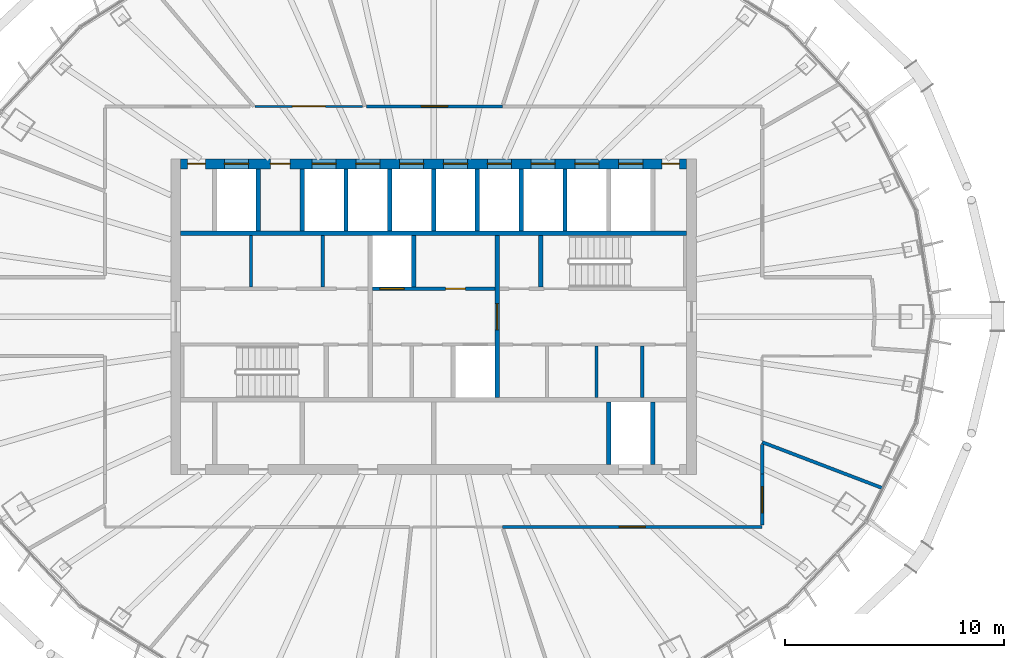
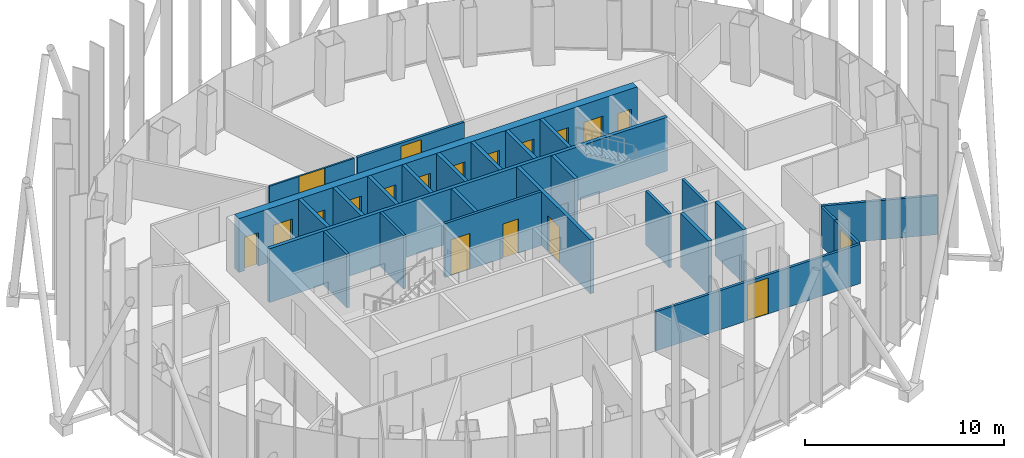
# One storey, part 9 of 17: 26 walls, 19 doors, 19 openings.
"""IFC4 building model written with IfcOpenShell, lengths in metres."""

from ifc_helpers import new_model, si_unit, direction, frame, frame_2d, origin, place, context, subcontext, project, spatial, rectangle, extrude, material, layer, layer_set, type_object, element, fill, save


model = new_model("IFC4")

# Units and contexts
model_context = context("Model", 3, precision=1e-05, world=origin(), true_north=direction((0.0, 1.0)))
body_context = subcontext(model_context, "Body", "Model", "MODEL_VIEW")
ifc_project = project(units=[si_unit("LENGTHUNIT", "METRE"), si_unit("AREAUNIT", "SQUARE_METRE"), si_unit("VOLUMEUNIT", "CUBIC_METRE"), si_unit("PLANEANGLEUNIT", "RADIAN"), si_unit("MASSUNIT", "GRAM", prefix="KILO")], contexts=[model_context])

# Site, building, storey
site_placement = place(None, origin())
site = spatial("IfcSite", under=ifc_project, at=site_placement, CompositionType="ELEMENT")
building_placement = place(site_placement, origin())
building = spatial("IfcBuilding", under=site, at=building_placement, Name="Siaravel Broadcast Tower", CompositionType="ELEMENT")
storey_placement = place(building_placement, frame((0.0, 0.0, 190.39990234375)))
storey = spatial("IfcBuildingStorey", under=building, at=storey_placement, Name="L46", CompositionType="ELEMENT", Elevation=190.39990234375)

# Walls
ifc_material_1 = material(Name="Concrete blockwork", Category="masonry")
ifc_layer_1 = layer(ifc_material_1, 0.14990234375)
ifc_layer_set_1 = layer_set([ifc_layer_1], Name="Concrete blockwork")
wall_type_1 = type_object("IfcWallType", Name="Core partition 150", PredefinedType="PARTITIONING", material=ifc_layer_set_1)
for number, where, z_axis, x_axis, name in (
    (1, (-8.340087890625, 1.35009765625, 0.0), (0.0, 0.0, 1.0), (0.0, 1.0, 0.0), "L46 core partition PNW0"),
    (2, (-5.054931640625, 1.35009765625, 0.0), (0.0, 0.0, 1.0), (0.0, 1.0, 0.0), "L46 core partition PNW1"),
    (3, (7.43701171875, -3.699951171875, 0.0), (0.0, 0.0, 1.0), (0.0, 1.0, 0.0), "L46 core partition PSE1"),
    (4, (9.531005859375, -3.699951171875, 0.0), (0.0, 0.0, 1.0), (0.0, 1.0, 0.0), "L46 core partition PSE2"),
):
    element("IfcWall", number, at=place(storey_placement, frame(where, z_axis=z_axis, x_axis=x_axis)), inside=storey, type_object=wall_type_1, Name=name, PredefinedType="PARTITIONING", context=body_context, shape_type="SweptSolid", body=[
        extrude(rectangle(XDim=2.349853515625, YDim=0.14990234375, at=frame_2d((1.1748046875, 0.0))), origin(), (0.0, 0.0, 1.0), 3.300048828125),
    ])

# Wall, openings, doors
ifc_material_2 = material(Name="Concrete C60/75", Category="concrete")
ifc_layer_2 = layer(ifc_material_2, 0.449951171875)
ifc_layer_set_2 = layer_set([ifc_layer_2], Name="Concrete C60/75")
wall_type_2 = type_object("IfcWallType", Name="Core wall 450", PredefinedType="SHEAR", material=ifc_layer_set_2)
wall_1_placement = place(storey_placement, frame((-11.550048828125, 6.97509765625, 0.0), z_axis=(0.0, 0.0, 1.0), x_axis=(1.0, 0.0, 0.0)))
wall_1 = element("IfcWall", 5, at=wall_1_placement, inside=storey, type_object=wall_type_2, Name="L46 core wall ON", PredefinedType="SHEAR", context=body_context, shape_type="SweptSolid", body=[
    extrude(rectangle(XDim=23.10009765625, YDim=0.449951171875, at=frame_2d((11.550048828125, 0.0))), origin(), (0.0, 0.0, 1.0), 3.300048828125),
])
opening_1_placement = place(wall_1_placement, frame((2.0, 0.0, 0.0)))
opening_1 = element("IfcOpeningElement", 6, at=opening_1_placement, cuts=wall_1, Name="Opening LD-SV2-L46", PredefinedType="OPENING", context=body_context, shape_type="SweptSolid", body=[
    extrude(rectangle(XDim=1.10009765625, YDim=2.199951171875, at=frame_2d((0.550048828125, 1.10009765625))), frame((0.0, 0.23486328125, 0.0), z_axis=(0.0, -1.0, 0.0), x_axis=(1.0, 0.0, 0.0)), (0.0, 0.0, 1.0), 0.469970703125),
])
opening_2_placement = place(wall_1_placement, frame((6.0, 0.0, 0.0)))
opening_2 = element("IfcOpeningElement", 7, at=opening_2_placement, cuts=wall_1, Name="Opening LD-HP1-L46", PredefinedType="OPENING", context=body_context, shape_type="SweptSolid", body=[
    extrude(rectangle(XDim=1.10009765625, YDim=2.199951171875, at=frame_2d((0.550048828125, 1.10009765625))), frame((0.0, 0.23486328125, 0.0), z_axis=(0.0, -1.0, 0.0), x_axis=(1.0, 0.0, 0.0)), (0.0, 0.0, 1.0), 0.469970703125),
])
opening_3_placement = place(wall_1_placement, frame((8.0, 0.0, 0.0)))
opening_3 = element("IfcOpeningElement", 8, at=opening_3_placement, cuts=wall_1, Name="Opening LD-HP2-L46", PredefinedType="OPENING", context=body_context, shape_type="SweptSolid", body=[
    extrude(rectangle(XDim=1.10009765625, YDim=2.199951171875, at=frame_2d((0.550048828125, 1.10009765625))), frame((0.0, 0.23486328125, 0.0), z_axis=(0.0, -1.0, 0.0), x_axis=(1.0, 0.0, 0.0)), (0.0, 0.0, 1.0), 0.469970703125),
])
opening_4_placement = place(wall_1_placement, frame((10.0, 0.0, 0.0)))
opening_4 = element("IfcOpeningElement", 9, at=opening_4_placement, cuts=wall_1, Name="Opening LD-HP3-L46", PredefinedType="OPENING", context=body_context, shape_type="SweptSolid", body=[
    extrude(rectangle(XDim=1.10009765625, YDim=2.199951171875, at=frame_2d((0.550048828125, 1.10009765625))), frame((0.0, 0.23486328125, 0.0), z_axis=(0.0, -1.0, 0.0), x_axis=(1.0, 0.0, 0.0)), (0.0, 0.0, 1.0), 0.469970703125),
])
opening_5_placement = place(wall_1_placement, frame((12.0, 0.0, 0.0)))
opening_5 = element("IfcOpeningElement", 10, at=opening_5_placement, cuts=wall_1, Name="Opening LD-HP4-L46", PredefinedType="OPENING", context=body_context, shape_type="SweptSolid", body=[
    extrude(rectangle(XDim=1.10009765625, YDim=2.199951171875, at=frame_2d((0.550048828125, 1.10009765625))), frame((0.0, 0.23486328125, 0.0), z_axis=(0.0, -1.0, 0.0), x_axis=(1.0, 0.0, 0.0)), (0.0, 0.0, 1.0), 0.469970703125),
])
opening_6_placement = place(wall_1_placement, frame((14.0, 0.0, 0.0)))
opening_6 = element("IfcOpeningElement", 11, at=opening_6_placement, cuts=wall_1, Name="Opening LD-HP5-L46", PredefinedType="OPENING", context=body_context, shape_type="SweptSolid", body=[
    extrude(rectangle(XDim=1.10009765625, YDim=2.199951171875, at=frame_2d((0.550048828125, 1.10009765625))), frame((0.0, 0.23486328125, 0.0), z_axis=(0.0, -1.0, 0.0), x_axis=(1.0, 0.0, 0.0)), (0.0, 0.0, 1.0), 0.469970703125),
])
opening_7_placement = place(wall_1_placement, frame((16.0, 0.0, 0.0)))
opening_7 = element("IfcOpeningElement", 12, at=opening_7_placement, cuts=wall_1, Name="Opening LD-HP6-L46", PredefinedType="OPENING", context=body_context, shape_type="SweptSolid", body=[
    extrude(rectangle(XDim=1.10009765625, YDim=2.199951171875, at=frame_2d((0.550048828125, 1.10009765625))), frame((0.0, 0.23486328125, 0.0), z_axis=(0.0, -1.0, 0.0), x_axis=(1.0, 0.0, 0.0)), (0.0, 0.0, 1.0), 0.469970703125),
])
opening_8_placement = place(wall_1_placement, frame((18.0, 0.0, 0.0)))
opening_8 = element("IfcOpeningElement", 13, at=opening_8_placement, cuts=wall_1, Name="Opening LD-HP7-L46", PredefinedType="OPENING", context=body_context, shape_type="SweptSolid", body=[
    extrude(rectangle(XDim=1.10009765625, YDim=2.199951171875, at=frame_2d((0.550048828125, 1.10009765625))), frame((0.0, 0.23486328125, 0.0), z_axis=(0.0, -1.0, 0.0), x_axis=(1.0, 0.0, 0.0)), (0.0, 0.0, 1.0), 0.469970703125),
])
opening_9_placement = place(wall_1_placement, frame((20.0, 0.0, 0.0)))
opening_9 = element("IfcOpeningElement", 14, at=opening_9_placement, cuts=wall_1, Name="Opening LD-HP8-L46", PredefinedType="OPENING", context=body_context, shape_type="SweptSolid", body=[
    extrude(rectangle(XDim=1.10009765625, YDim=2.199951171875, at=frame_2d((0.550048828125, 1.10009765625))), frame((0.0, 0.23486328125, 0.0), z_axis=(0.0, -1.0, 0.0), x_axis=(1.0, 0.0, 0.0)), (0.0, 0.0, 1.0), 0.469970703125),
])
opening_10_placement = place(wall_1_placement, frame((4.10009765625, 0.0, 0.0)))
opening_10 = element("IfcOpeningElement", 15, at=opening_10_placement, cuts=wall_1, Name="Opening L46-DFN1", PredefinedType="OPENING", context=body_context, shape_type="SweptSolid", body=[
    extrude(rectangle(XDim=0.89990234375, YDim=2.10009765625, at=frame_2d((0.449951171875, 1.050048828125))), frame((0.0, 0.23486328125, 0.0), z_axis=(0.0, -1.0, 0.0), x_axis=(1.0, 0.0, 0.0)), (0.0, 0.0, 1.0), 0.469970703125),
])
opening_11_placement = place(wall_1_placement, frame((0.324951171875, 0.0, 0.0)))
opening_11 = element("IfcOpeningElement", 16, at=opening_11_placement, cuts=wall_1, Name="Opening L46-DRNW", PredefinedType="OPENING", context=body_context, shape_type="SweptSolid", body=[
    extrude(rectangle(XDim=0.800048828125, YDim=2.050048828125, at=frame_2d((0.39990234375, 1.02490234375))), frame((0.0, 0.23486328125, 0.0), z_axis=(0.0, -1.0, 0.0), x_axis=(1.0, 0.0, 0.0)), (0.0, 0.0, 1.0), 0.469970703125),
])
opening_12_placement = place(wall_1_placement, frame((21.97509765625, 0.0, 0.0)))
opening_12 = element("IfcOpeningElement", 17, at=opening_12_placement, cuts=wall_1, Name="Opening L46-DRNE", PredefinedType="OPENING", context=body_context, shape_type="SweptSolid", body=[
    extrude(rectangle(XDim=0.800048828125, YDim=2.050048828125, at=frame_2d((0.39990234375, 1.02490234375))), frame((0.0, 0.23486328125, 0.0), z_axis=(0.0, -1.0, 0.0), x_axis=(1.0, 0.0, 0.0)), (0.0, 0.0, 1.0), 0.469970703125),
])
ifc_material_3 = material(Name="Timber veneer", Category="wood")
door_type_1 = type_object("IfcDoorType", Name="Core room door 900", OperationType="SINGLE_SWING_LEFT", PredefinedType="DOOR", material=ifc_material_3)
door_1_placement = place(opening_10_placement, origin())
door_1 = element("IfcDoor", 18, at=door_1_placement, inside=storey, type_object=door_type_1, Name="L46 door DFN1", OperationType="SINGLE_SWING_LEFT", OverallHeight=2.10009765625, OverallWidth=0.89990234375, PredefinedType="DOOR", context=body_context, shape_type="SweptSolid", body=[
    extrude(rectangle(XDim=0.89990234375, YDim=2.10009765625, at=frame_2d((0.449951171875, 1.050048828125))), frame((0.0, 0.02490234375, 0.0), z_axis=(0.0, -1.0, 0.0), x_axis=(1.0, 0.0, 0.0)), (0.0, 0.0, 1.0), 0.050048828125),
])
fill(opening_10, door_1)
ifc_material_4 = material(Name="Stainless steel 316L", Category="steel")
door_type_2 = type_object("IfcDoorType", Name="Lift landing door 1100", OperationType="DOUBLE_DOOR_SLIDING", PredefinedType="DOOR", material=ifc_material_4)
door_2_placement = place(opening_2_placement, origin())
door_2 = element("IfcDoor", 19, at=door_2_placement, inside=storey, type_object=door_type_2, Name="Landing door HP1 L46", OperationType="DOUBLE_DOOR_SLIDING", OverallHeight=2.199951171875, OverallWidth=1.10009765625, PredefinedType="DOOR", context=body_context, shape_type="SweptSolid", body=[
    extrude(rectangle(XDim=1.10009765625, YDim=2.199951171875, at=frame_2d((0.550048828125, 1.10009765625))), frame((0.0, 0.02490234375, 0.0), z_axis=(0.0, -1.0, 0.0), x_axis=(1.0, 0.0, 0.0)), (0.0, 0.0, 1.0), 0.050048828125),
])
fill(opening_2, door_2)
door_3_placement = place(opening_3_placement, origin())
door_3 = element("IfcDoor", 20, at=door_3_placement, inside=storey, type_object=door_type_2, Name="Landing door HP2 L46", OperationType="DOUBLE_DOOR_SLIDING", OverallHeight=2.199951171875, OverallWidth=1.10009765625, PredefinedType="DOOR", context=body_context, shape_type="SweptSolid", body=[
    extrude(rectangle(XDim=1.10009765625, YDim=2.199951171875, at=frame_2d((0.550048828125, 1.10009765625))), frame((0.0, 0.02490234375, 0.0), z_axis=(0.0, -1.0, 0.0), x_axis=(1.0, 0.0, 0.0)), (0.0, 0.0, 1.0), 0.050048828125),
])
fill(opening_3, door_3)
door_4_placement = place(opening_4_placement, origin())
door_4 = element("IfcDoor", 21, at=door_4_placement, inside=storey, type_object=door_type_2, Name="Landing door HP3 L46", OperationType="DOUBLE_DOOR_SLIDING", OverallHeight=2.199951171875, OverallWidth=1.10009765625, PredefinedType="DOOR", context=body_context, shape_type="SweptSolid", body=[
    extrude(rectangle(XDim=1.10009765625, YDim=2.199951171875, at=frame_2d((0.550048828125, 1.10009765625))), frame((0.0, 0.02490234375, 0.0), z_axis=(0.0, -1.0, 0.0), x_axis=(1.0, 0.0, 0.0)), (0.0, 0.0, 1.0), 0.050048828125),
])
fill(opening_4, door_4)
door_5_placement = place(opening_5_placement, origin())
door_5 = element("IfcDoor", 22, at=door_5_placement, inside=storey, type_object=door_type_2, Name="Landing door HP4 L46", OperationType="DOUBLE_DOOR_SLIDING", OverallHeight=2.199951171875, OverallWidth=1.10009765625, PredefinedType="DOOR", context=body_context, shape_type="SweptSolid", body=[
    extrude(rectangle(XDim=1.10009765625, YDim=2.199951171875, at=frame_2d((0.550048828125, 1.10009765625))), frame((0.0, 0.02490234375, 0.0), z_axis=(0.0, -1.0, 0.0), x_axis=(1.0, 0.0, 0.0)), (0.0, 0.0, 1.0), 0.050048828125),
])
fill(opening_5, door_5)
door_6_placement = place(opening_6_placement, origin())
door_6 = element("IfcDoor", 23, at=door_6_placement, inside=storey, type_object=door_type_2, Name="Landing door HP5 L46", OperationType="DOUBLE_DOOR_SLIDING", OverallHeight=2.199951171875, OverallWidth=1.10009765625, PredefinedType="DOOR", context=body_context, shape_type="SweptSolid", body=[
    extrude(rectangle(XDim=1.10009765625, YDim=2.199951171875, at=frame_2d((0.550048828125, 1.10009765625))), frame((0.0, 0.02490234375, 0.0), z_axis=(0.0, -1.0, 0.0), x_axis=(1.0, 0.0, 0.0)), (0.0, 0.0, 1.0), 0.050048828125),
])
fill(opening_6, door_6)
door_7_placement = place(opening_7_placement, origin())
door_7 = element("IfcDoor", 24, at=door_7_placement, inside=storey, type_object=door_type_2, Name="Landing door HP6 L46", OperationType="DOUBLE_DOOR_SLIDING", OverallHeight=2.199951171875, OverallWidth=1.10009765625, PredefinedType="DOOR", context=body_context, shape_type="SweptSolid", body=[
    extrude(rectangle(XDim=1.10009765625, YDim=2.199951171875, at=frame_2d((0.550048828125, 1.10009765625))), frame((0.0, 0.02490234375, 0.0), z_axis=(0.0, -1.0, 0.0), x_axis=(1.0, 0.0, 0.0)), (0.0, 0.0, 1.0), 0.050048828125),
])
fill(opening_7, door_7)
door_8_placement = place(opening_8_placement, origin())
door_8 = element("IfcDoor", 25, at=door_8_placement, inside=storey, type_object=door_type_2, Name="Landing door HP7 L46", OperationType="DOUBLE_DOOR_SLIDING", OverallHeight=2.199951171875, OverallWidth=1.10009765625, PredefinedType="DOOR", context=body_context, shape_type="SweptSolid", body=[
    extrude(rectangle(XDim=1.10009765625, YDim=2.199951171875, at=frame_2d((0.550048828125, 1.10009765625))), frame((0.0, 0.02490234375, 0.0), z_axis=(0.0, -1.0, 0.0), x_axis=(1.0, 0.0, 0.0)), (0.0, 0.0, 1.0), 0.050048828125),
])
fill(opening_8, door_8)
door_9_placement = place(opening_9_placement, origin())
door_9 = element("IfcDoor", 26, at=door_9_placement, inside=storey, type_object=door_type_2, Name="Landing door HP8 L46", OperationType="DOUBLE_DOOR_SLIDING", OverallHeight=2.199951171875, OverallWidth=1.10009765625, PredefinedType="DOOR", context=body_context, shape_type="SweptSolid", body=[
    extrude(rectangle(XDim=1.10009765625, YDim=2.199951171875, at=frame_2d((0.550048828125, 1.10009765625))), frame((0.0, 0.02490234375, 0.0), z_axis=(0.0, -1.0, 0.0), x_axis=(1.0, 0.0, 0.0)), (0.0, 0.0, 1.0), 0.050048828125),
])
fill(opening_9, door_9)
ifc_material_5 = material(Name="Steel", Category="steel")
door_type_3 = type_object("IfcDoorType", Name="Riser door 800", OperationType="SINGLE_SWING_LEFT", PredefinedType="DOOR", material=ifc_material_5)
door_10_placement = place(opening_11_placement, origin())
door_10 = element("IfcDoor", 27, at=door_10_placement, inside=storey, type_object=door_type_3, Name="L46 door DRNW", OperationType="SINGLE_SWING_LEFT", OverallHeight=2.050048828125, OverallWidth=0.800048828125, PredefinedType="DOOR", context=body_context, shape_type="SweptSolid", body=[
    extrude(rectangle(XDim=0.800048828125, YDim=2.050048828125, at=frame_2d((0.39990234375, 1.02490234375))), frame((0.0, 0.02490234375, 0.0), z_axis=(0.0, -1.0, 0.0), x_axis=(1.0, 0.0, 0.0)), (0.0, 0.0, 1.0), 0.050048828125),
])
fill(opening_11, door_10)
door_11_placement = place(opening_12_placement, origin())
door_11 = element("IfcDoor", 28, at=door_11_placement, inside=storey, type_object=door_type_3, Name="L46 door DRNE", OperationType="SINGLE_SWING_LEFT", OverallHeight=2.050048828125, OverallWidth=0.800048828125, PredefinedType="DOOR", context=body_context, shape_type="SweptSolid", body=[
    extrude(rectangle(XDim=0.800048828125, YDim=2.050048828125, at=frame_2d((0.39990234375, 1.02490234375))), frame((0.0, 0.02490234375, 0.0), z_axis=(0.0, -1.0, 0.0), x_axis=(1.0, 0.0, 0.0)), (0.0, 0.0, 1.0), 0.050048828125),
])
fill(opening_12, door_11)
door_type_4 = type_object("IfcDoorType", Name="Service lift landing door 1100", OperationType="DOUBLE_DOOR_SLIDING", PredefinedType="DOOR", material=ifc_material_4)
door_12_placement = place(opening_1_placement, origin())
door_12 = element("IfcDoor", 29, at=door_12_placement, inside=storey, type_object=door_type_4, Name="Landing door SV2 L46", OperationType="DOUBLE_DOOR_SLIDING", OverallHeight=2.199951171875, OverallWidth=1.10009765625, PredefinedType="DOOR", context=body_context, shape_type="SweptSolid", body=[
    extrude(rectangle(XDim=1.10009765625, YDim=2.199951171875, at=frame_2d((0.550048828125, 1.10009765625))), frame((0.0, 0.02490234375, 0.0), z_axis=(0.0, -1.0, 0.0), x_axis=(1.0, 0.0, 0.0)), (0.0, 0.0, 1.0), 0.050048828125),
])
fill(opening_1, door_12)

# Wall, opening, door
ifc_material_6 = material(Name="Gypsum board partition", Category="gypsum")
ifc_layer_3 = layer(ifc_material_6, 0.14990234375)
ifc_layer_set_3 = layer_set([ifc_layer_3], Name="Gypsum board partition")
wall_type_3 = type_object("IfcWallType", Name="Corridor wall 150", PredefinedType="PARTITIONING", material=ifc_layer_set_3)
wall_2_placement = place(storey_placement, frame((3.140380859375, -9.60009765625, 0.0), z_axis=(0.0, 0.0, 1.0), x_axis=(1.0, 0.0, 0.0)))
wall_2 = element("IfcWall", 30, at=wall_2_placement, inside=storey, type_object=wall_type_3, Name="L46 partition 1", PredefinedType="PARTITIONING", context=body_context, shape_type="SweptSolid", body=[
    extrude(rectangle(XDim=11.859619140625, YDim=0.14990234375, at=frame_2d((5.9296875, 0.0))), origin(), (0.0, 0.0, 1.0), 2.400146484375),
])
opening_13_placement = place(wall_2_placement, frame((5.329833984375, 0.0, 0.0)))
opening_13 = element("IfcOpeningElement", 31, at=opening_13_placement, cuts=wall_2, Name="Opening L46-003", PredefinedType="OPENING", context=body_context, shape_type="SweptSolid", body=[
    extrude(rectangle(XDim=1.199951171875, YDim=2.199951171875, at=frame_2d((0.60009765625, 1.10009765625))), frame((0.0, 0.0849609375, 0.0), z_axis=(0.0, -1.0, 0.0), x_axis=(1.0, 0.0, 0.0)), (0.0, 0.0, 1.0), 0.169921875),
])
door_type_5 = type_object("IfcDoorType", Name="Office double door 1200", OperationType="DOUBLE_DOOR_SINGLE_SWING", PredefinedType="DOOR", material=ifc_material_3)
door_13_placement = place(opening_13_placement, origin())
door_13 = element("IfcDoor", 32, at=door_13_placement, inside=storey, type_object=door_type_5, Name="L46 door to Open plan office", OperationType="DOUBLE_DOOR_SINGLE_SWING", OverallHeight=2.199951171875, OverallWidth=1.199951171875, PredefinedType="DOOR", context=body_context, shape_type="SweptSolid", body=[
    extrude(rectangle(XDim=1.199951171875, YDim=2.199951171875, at=frame_2d((0.60009765625, 1.10009765625))), frame((0.0, 0.02490234375, 0.0), z_axis=(0.0, -1.0, 0.0), x_axis=(1.0, 0.0, 0.0)), (0.0, 0.0, 1.0), 0.050048828125),
])
fill(opening_13, door_13)

wall_3_placement = place(storey_placement, frame((3.140380859375, 9.60009765625, 0.0), z_axis=(0.0, 0.0, 1.0), x_axis=(-1.0, 0.0, 0.0)))
wall_3 = element("IfcWall", 33, at=wall_3_placement, inside=storey, type_object=wall_type_3, Name="L46 partition 12", PredefinedType="PARTITIONING", context=body_context, shape_type="SweptSolid", body=[
    extrude(rectangle(XDim=6.20751953125, YDim=0.14990234375, at=frame_2d((3.103759765625, 0.0))), origin(), (0.0, 0.0, 1.0), 2.400146484375),
])
opening_14_placement = place(wall_3_placement, frame((2.503662109375, 0.0, 0.0)))
opening_14 = element("IfcOpeningElement", 34, at=opening_14_placement, cuts=wall_3, Name="Opening L46-008", PredefinedType="OPENING", context=body_context, shape_type="SweptSolid", body=[
    extrude(rectangle(XDim=1.199951171875, YDim=2.199951171875, at=frame_2d((0.60009765625, 1.10009765625))), frame((0.0, 0.0849609375, 0.0), z_axis=(0.0, -1.0, 0.0), x_axis=(1.0, 0.0, 0.0)), (0.0, 0.0, 1.0), 0.169921875),
])
door_14_placement = place(opening_14_placement, origin())
door_14 = element("IfcDoor", 35, at=door_14_placement, inside=storey, type_object=door_type_5, Name="L46 door to Open plan office", OperationType="DOUBLE_DOOR_SINGLE_SWING", OverallHeight=2.199951171875, OverallWidth=1.199951171875, PredefinedType="DOOR", context=body_context, shape_type="SweptSolid", body=[
    extrude(rectangle(XDim=1.199951171875, YDim=2.199951171875, at=frame_2d((0.60009765625, 1.10009765625))), frame((0.0, 0.02490234375, 0.0), z_axis=(0.0, -1.0, 0.0), x_axis=(1.0, 0.0, 0.0)), (0.0, 0.0, 1.0), 0.050048828125),
])
fill(opening_14, door_14)

wall_4_placement = place(storey_placement, frame((15.0, -9.52294921875, 0.0), z_axis=(0.0, 0.0, 1.0), x_axis=(0.0, 1.0, 0.0)))
wall_4 = element("IfcWall", 36, at=wall_4_placement, inside=storey, type_object=wall_type_3, Name="L46 partition 29", PredefinedType="PARTITIONING", context=body_context, shape_type="SweptSolid", body=[
    extrude(rectangle(XDim=2.3349609375, YDim=0.14990234375, at=frame_2d((1.16748046875, 0.0))), origin(), (0.0, 0.0, 1.0), 2.400146484375),
])
opening_15_placement = place(wall_4_placement, frame((0.5673828125, 0.0, 0.0)))
opening_15 = element("IfcOpeningElement", 37, at=opening_15_placement, cuts=wall_4, Name="Opening L46-004", PredefinedType="OPENING", context=body_context, shape_type="SweptSolid", body=[
    extrude(rectangle(XDim=1.199951171875, YDim=2.199951171875, at=frame_2d((0.60009765625, 1.10009765625))), frame((0.0, 0.0849609375, 0.0), z_axis=(0.0, -1.0, 0.0), x_axis=(1.0, 0.0, 0.0)), (0.0, 0.0, 1.0), 0.169921875),
])
door_15_placement = place(opening_15_placement, origin())
door_15 = element("IfcDoor", 38, at=door_15_placement, inside=storey, type_object=door_type_5, Name="L46 door to Open plan office", OperationType="DOUBLE_DOOR_SINGLE_SWING", OverallHeight=2.199951171875, OverallWidth=1.199951171875, PredefinedType="DOOR", context=body_context, shape_type="SweptSolid", body=[
    extrude(rectangle(XDim=1.199951171875, YDim=2.199951171875, at=frame_2d((0.60009765625, 1.10009765625))), frame((0.0, 0.02490234375, 0.0), z_axis=(0.0, -1.0, 0.0), x_axis=(1.0, 0.0, 0.0)), (0.0, 0.0, 1.0), 0.050048828125),
])
fill(opening_15, door_15)

# Wall
wall_5_placement = place(storey_placement, frame((15.0, -7.18701171875, 0.0), z_axis=(0.0, 0.0, 1.0), x_axis=(0.0, 1.0, 0.0)))
element("IfcWall", 39, at=wall_5_placement, inside=storey, type_object=wall_type_3, Name="L46 partition 31", PredefinedType="PARTITIONING", context=body_context, shape_type="SweptSolid", body=[
    extrude(rectangle(XDim=1.3466796875, YDim=0.14990234375, at=frame_2d((0.67333984375, 0.0))), origin(), (0.0, 0.0, 1.0), 2.400146484375),
])

# Wall, opening, door
ifc_material_7 = material(Name="Glazed aluminium partition", Category="aluminium")
ifc_layer_4 = layer(ifc_material_7, 0.10009765625)
ifc_layer_set_4 = layer_set([ifc_layer_4], Name="Glazed aluminium partition")
wall_type_4 = type_object("IfcWallType", Name="Glazed meeting room partition 100", PredefinedType="PARTITIONING", material=ifc_layer_set_4)
wall_6_placement = place(storey_placement, frame((-3.237548828125, 9.60009765625, 0.0), z_axis=(0.0, 0.0, 1.0), x_axis=(-1.0, 0.0, 0.0)))
wall_6 = element("IfcWall", 40, at=wall_6_placement, inside=storey, type_object=wall_type_4, Name="L46 partition 17", PredefinedType="PARTITIONING", context=body_context, shape_type="SweptSolid", body=[
    extrude(rectangle(XDim=4.909912109375, YDim=0.10009765625, at=frame_2d((2.455078125, 0.0))), origin(), (0.0, 0.0, 1.0), 2.400146484375),
])
opening_16_placement = place(wall_6_placement, frame((1.704833984375, 0.0, 0.0)))
opening_16 = element("IfcOpeningElement", 41, at=opening_16_placement, cuts=wall_6, Name="Opening L46-009", PredefinedType="OPENING", context=body_context, shape_type="SweptSolid", body=[
    extrude(rectangle(XDim=1.5, YDim=2.39990234375, at=frame_2d((0.75, 1.199951171875))), frame((0.0, 0.06005859375, 0.0), z_axis=(0.0, -1.0, 0.0), x_axis=(1.0, 0.0, 0.0)), (0.0, 0.0, 1.0), 0.1201171875),
])
door_type_6 = type_object("IfcDoorType", Name="Conference double door 1500", OperationType="DOUBLE_DOOR_SINGLE_SWING", PredefinedType="DOOR", material=ifc_material_3)
door_16_placement = place(opening_16_placement, origin())
door_16 = element("IfcDoor", 42, at=door_16_placement, inside=storey, type_object=door_type_6, Name="L46 door to Training room", OperationType="DOUBLE_DOOR_SINGLE_SWING", OverallHeight=2.39990234375, OverallWidth=1.5, PredefinedType="DOOR", context=body_context, shape_type="SweptSolid", body=[
    extrude(rectangle(XDim=1.5, YDim=2.39990234375, at=frame_2d((0.75, 1.199951171875))), frame((0.0, 0.02490234375, 0.0), z_axis=(0.0, -1.0, 0.0), x_axis=(1.0, 0.0, 0.0)), (0.0, 0.0, 1.0), 0.050048828125),
])
fill(opening_16, door_16)

# Wall
ifc_layer_5 = layer(ifc_material_6, 0.14990234375)
ifc_layer_set_5 = layer_set([ifc_layer_5], Name="Gypsum board partition")
wall_type_5 = type_object("IfcWallType", Name="Room partition 150", PredefinedType="PARTITIONING", material=ifc_layer_set_5)
wall_7_placement = place(storey_placement, frame((20.515380859375, -7.8359375, 0.0), z_axis=(0.0, 0.0, 1.0), x_axis=(-0.934186062, 0.356786213, 0.0)))
element("IfcWall", 43, at=wall_7_placement, inside=storey, type_object=wall_type_5, Name="L46 partition 14", PredefinedType="PARTITIONING", context=body_context, shape_type="SweptSolid", body=[
    extrude(rectangle(XDim=5.904052734375, YDim=0.14990234375, at=frame_2d((2.9521484375, 0.0))), origin(), (0.0, 0.0, 1.0), 2.400146484375),
])

# Wall, openings, doors
ifc_layer_6 = layer(ifc_material_2, 0.14990234375)
ifc_layer_set_6 = layer_set([ifc_layer_6], Name="Concrete C60/75")
wall_type_6 = type_object("IfcWallType", Name="Shaft wall 150", PredefinedType="SHEAR", material=ifc_layer_set_6)
wall_8_placement = place(storey_placement, frame((-2.800048828125, 1.27490234375, 0.0), z_axis=(0.0, 0.0, 1.0), x_axis=(1.0, 0.0, 0.0)))
wall_8 = element("IfcWall", 44, at=wall_8_placement, inside=storey, type_object=wall_type_6, Name="L46 core wall CNM", PredefinedType="SHEAR", context=body_context, shape_type="SweptSolid", body=[
    extrude(rectangle(XDim=5.60009765625, YDim=0.14990234375, at=frame_2d((2.800048828125, 0.0))), origin(), (0.0, 0.0, 1.0), 3.300048828125),
])
opening_17_placement = place(wall_8_placement, frame((0.35009765625, 0.0, 0.0)))
opening_17 = element("IfcOpeningElement", 45, at=opening_17_placement, cuts=wall_8, Name="Opening LD-FL1-L46", PredefinedType="OPENING", context=body_context, shape_type="SweptSolid", body=[
    extrude(rectangle(XDim=1.10009765625, YDim=2.199951171875, at=frame_2d((0.550048828125, 1.10009765625))), frame((0.0, 0.0849609375, 0.0), z_axis=(0.0, -1.0, 0.0), x_axis=(1.0, 0.0, 0.0)), (0.0, 0.0, 1.0), 0.169921875),
])
opening_18_placement = place(wall_8_placement, frame((3.35009765625, 0.0, 0.0)))
opening_18 = element("IfcOpeningElement", 46, at=opening_18_placement, cuts=wall_8, Name="Opening L46-DNM0", PredefinedType="OPENING", context=body_context, shape_type="SweptSolid", body=[
    extrude(rectangle(XDim=0.89990234375, YDim=2.10009765625, at=frame_2d((0.449951171875, 1.050048828125))), frame((0.0, 0.0849609375, 0.0), z_axis=(0.0, -1.0, 0.0), x_axis=(1.0, 0.0, 0.0)), (0.0, 0.0, 1.0), 0.169921875),
])
door_17_placement = place(opening_18_placement, origin())
door_17 = element("IfcDoor", 47, at=door_17_placement, inside=storey, type_object=door_type_1, Name="L46 door DNM0", OperationType="SINGLE_SWING_LEFT", OverallHeight=2.10009765625, OverallWidth=0.89990234375, PredefinedType="DOOR", context=body_context, shape_type="SweptSolid", body=[
    extrude(rectangle(XDim=0.89990234375, YDim=2.10009765625, at=frame_2d((0.449951171875, 1.050048828125))), frame((0.0, 0.02490234375, 0.0), z_axis=(0.0, -1.0, 0.0), x_axis=(1.0, 0.0, 0.0)), (0.0, 0.0, 1.0), 0.050048828125),
])
fill(opening_18, door_17)
door_type_7 = type_object("IfcDoorType", Name="Firefighting lift landing door 1100", OperationType="DOUBLE_DOOR_SLIDING", PredefinedType="DOOR", material=ifc_material_4)
door_18_placement = place(opening_17_placement, origin())
door_18 = element("IfcDoor", 48, at=door_18_placement, inside=storey, type_object=door_type_7, Name="Landing door FL1 L46", OperationType="DOUBLE_DOOR_SLIDING", OverallHeight=2.199951171875, OverallWidth=1.10009765625, PredefinedType="DOOR", context=body_context, shape_type="SweptSolid", body=[
    extrude(rectangle(XDim=1.10009765625, YDim=2.199951171875, at=frame_2d((0.550048828125, 1.10009765625))), frame((0.0, 0.02490234375, 0.0), z_axis=(0.0, -1.0, 0.0), x_axis=(1.0, 0.0, 0.0)), (0.0, 0.0, 1.0), 0.050048828125),
])
fill(opening_17, door_18)

# Walls
ifc_layer_7 = layer(ifc_material_2, 0.199951171875)
ifc_layer_set_7 = layer_set([ifc_layer_7], Name="Concrete C60/75")
wall_type_7 = type_object("IfcWallType", Name="Shaft wall 200", PredefinedType="SHEAR", material=ifc_layer_set_7)
wall_9_placement = place(storey_placement, frame((-11.550048828125, 3.800048828125, 0.0), z_axis=(0.0, 0.0, 1.0), x_axis=(1.0, 0.0, 0.0)))
element("IfcWall", 49, at=wall_9_placement, inside=storey, type_object=wall_type_7, Name="L46 core wall BN", PredefinedType="SHEAR", context=body_context, shape_type="SweptSolid", body=[
    extrude(rectangle(XDim=23.10009765625, YDim=0.199951171875, at=frame_2d((11.550048828125, 0.0))), origin(), (0.0, 0.0, 1.0), 3.300048828125),
])
for number, where, z_axis, x_axis, name in (
    (50, (8.0, -6.75, 0.0), (0.0, 0.0, 1.0), (0.0, 1.0, 0.0), "L46 core wall SWS9"),
    (51, (10.0, -6.75, 0.0), (0.0, 0.0, 1.0), (0.0, 1.0, 0.0), "L46 core wall SWS10"),
    (52, (-8.0, 3.89990234375, 0.0), (0.0, 0.0, 1.0), (0.0, 1.0, 0.0), "L46 core wall SWN1"),
    (53, (-6.0, 3.89990234375, 0.0), (0.0, 0.0, 1.0), (0.0, 1.0, 0.0), "L46 core wall SWN2"),
    (54, (-4.0, 3.89990234375, 0.0), (0.0, 0.0, 1.0), (0.0, 1.0, 0.0), "L46 core wall SWN3"),
    (55, (-2.0, 3.89990234375, 0.0), (0.0, 0.0, 1.0), (0.0, 1.0, 0.0), "L46 core wall SWN4"),
    (56, (0.0, 3.89990234375, 0.0), (0.0, 0.0, 1.0), (0.0, 1.0, 0.0), "L46 core wall SWN5"),
    (57, (2.0, 3.89990234375, 0.0), (0.0, 0.0, 1.0), (0.0, 1.0, 0.0), "L46 core wall SWN6"),
    (58, (4.0, 3.89990234375, 0.0), (0.0, 0.0, 1.0), (0.0, 1.0, 0.0), "L46 core wall SWN7"),
    (59, (6.0, 3.89990234375, 0.0), (0.0, 0.0, 1.0), (0.0, 1.0, 0.0), "L46 core wall SWN8"),
):
    element("IfcWall", number, at=place(storey_placement, frame(where, z_axis=z_axis, x_axis=x_axis)), inside=storey, type_object=wall_type_7, Name=name, PredefinedType="SHEAR", context=body_context, shape_type="SweptSolid", body=[
        extrude(rectangle(XDim=2.85009765625, YDim=0.199951171875, at=frame_2d((1.425048828125, 0.0))), origin(), (0.0, 0.0, 1.0), 3.300048828125),
    ])

# Wall, opening, door
wall_10_placement = place(storey_placement, frame((2.89990234375, -3.699951171875, 0.0), z_axis=(0.0, 0.0, 1.0), x_axis=(0.0, 1.0, 0.0)))
wall_10 = element("IfcWall", 60, at=wall_10_placement, inside=storey, type_object=wall_type_7, Name="L46 core wall LE", PredefinedType="SHEAR", context=body_context, shape_type="SweptSolid", body=[
    extrude(rectangle(XDim=7.39990234375, YDim=0.199951171875, at=frame_2d((3.699951171875, 0.0))), origin(), (0.0, 0.0, 1.0), 3.300048828125),
])
opening_19_placement = place(wall_10_placement, frame((3.10009765625, 0.0, 0.0)))
opening_19 = element("IfcOpeningElement", 61, at=opening_19_placement, cuts=wall_10, Name="Opening L46-DL-E", PredefinedType="OPENING", context=body_context, shape_type="SweptSolid", body=[
    extrude(rectangle(XDim=1.199951171875, YDim=2.199951171875, at=frame_2d((0.60009765625, 1.10009765625))), frame((0.0, 0.10986328125, 0.0), z_axis=(0.0, -1.0, 0.0), x_axis=(1.0, 0.0, 0.0)), (0.0, 0.0, 1.0), 0.219970703125),
])
door_type_8 = type_object("IfcDoorType", Name="Firefighting lobby door 1200", OperationType="SINGLE_SWING_LEFT", PredefinedType="DOOR", material=ifc_material_5)
door_19_placement = place(opening_19_placement, origin())
door_19 = element("IfcDoor", 62, at=door_19_placement, inside=storey, type_object=door_type_8, Name="L46 door DL-E", OperationType="SINGLE_SWING_LEFT", OverallHeight=2.199951171875, OverallWidth=1.199951171875, PredefinedType="DOOR", context=body_context, shape_type="SweptSolid", body=[
    extrude(rectangle(XDim=1.199951171875, YDim=2.199951171875, at=frame_2d((0.60009765625, 1.10009765625))), frame((0.0, 0.02490234375, 0.0), z_axis=(0.0, -1.0, 0.0), x_axis=(1.0, 0.0, 0.0)), (0.0, 0.0, 1.0), 0.050048828125),
])
fill(opening_19, door_19)

# Walls
for number, where, z_axis, x_axis, name in (
    (63, (-0.89990234375, 1.35009765625, 0.0), (0.0, 0.0, 1.0), (0.0, 1.0, 0.0), "L46 core wall FF1E"),
    (64, (4.89990234375, 1.35009765625, 0.0), (0.0, 0.0, 1.0), (0.0, 1.0, 0.0), "L46 core wall ST2W"),
):
    element("IfcWall", number, at=place(storey_placement, frame(where, z_axis=z_axis, x_axis=x_axis)), inside=storey, type_object=wall_type_7, Name=name, PredefinedType="SHEAR", context=body_context, shape_type="SweptSolid", body=[
        extrude(rectangle(XDim=2.349853515625, YDim=0.199951171875, at=frame_2d((1.1748046875, 0.0))), origin(), (0.0, 0.0, 1.0), 3.300048828125),
    ])

save(model, "model.ifc")
